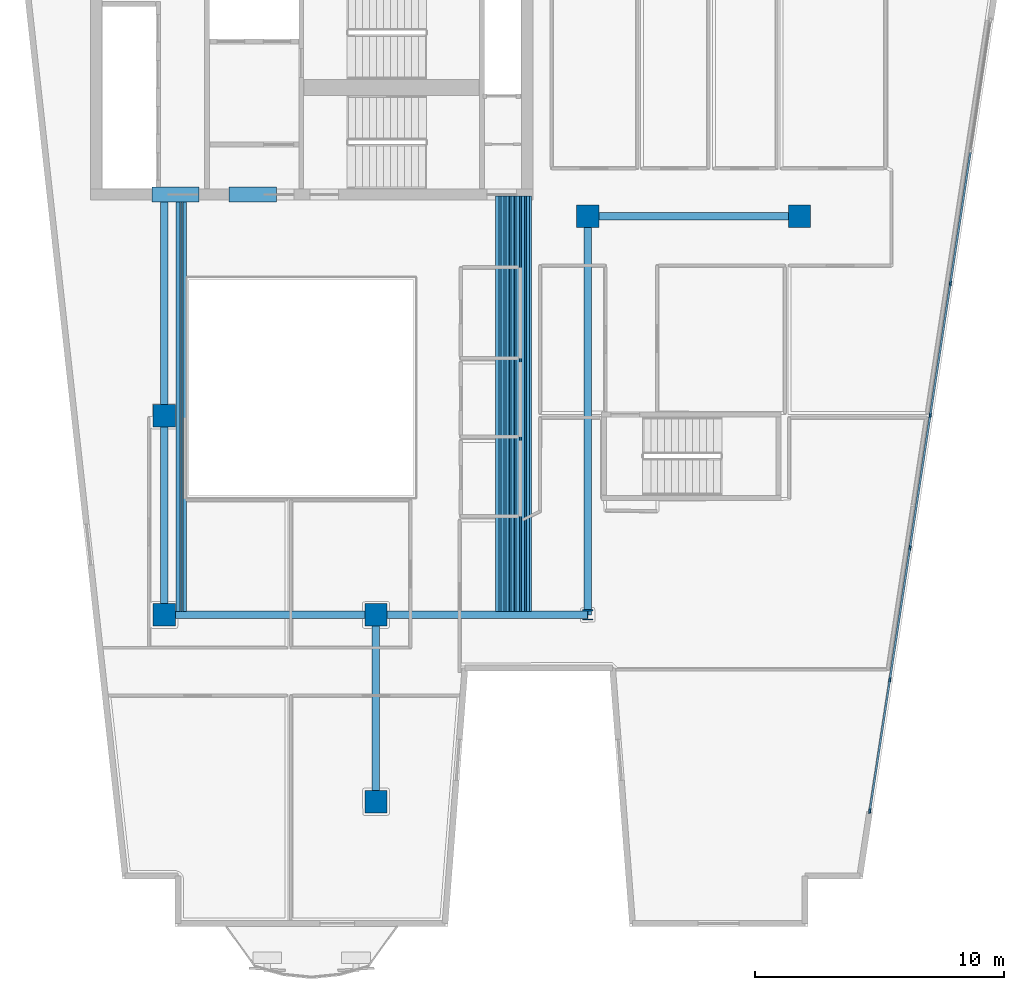
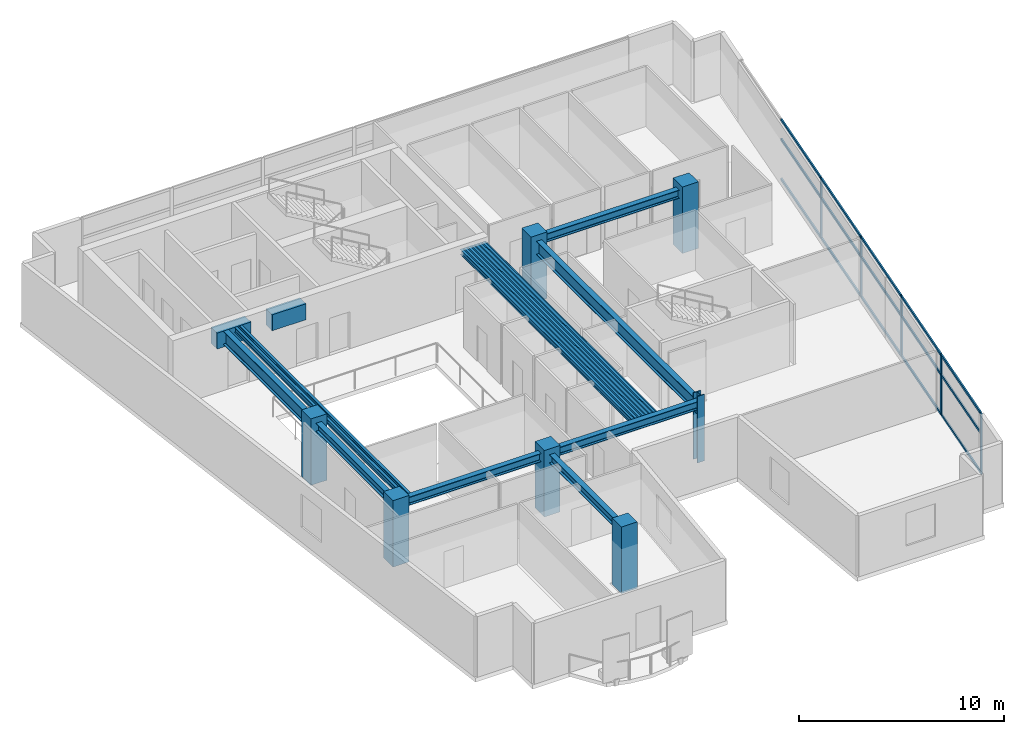
# One storey, part 1 of 8: 26 beams, 20 members, 7 columns, 1 element without a shape of its own.
"""IFC4 building model written with IfcOpenShell, lengths in metres."""

from ifc_helpers import new_model, si_unit, direction, frame, origin, origin_2d, place, context, subcontext, project, spatial, rectangle, hollow_rectangle, i_section, extrude, material, layer, layer_set, material_profile, profile_set, type_object, element, aggregate, save


model = new_model("IFC4")

# Units and contexts
model_context = context("Model", 3, precision=1e-05, world=origin(), true_north=direction((0.0, 1.0)))
body_context = subcontext(model_context, "Body", "Model", "MODEL_VIEW")
ifc_project = project(units=[si_unit("LENGTHUNIT", "METRE"), si_unit("AREAUNIT", "SQUARE_METRE"), si_unit("VOLUMEUNIT", "CUBIC_METRE"), si_unit("PLANEANGLEUNIT", "RADIAN"), si_unit("MASSUNIT", "GRAM", prefix="KILO")], contexts=[model_context])

# Site, building, storey
site_placement = place(None, origin())
site = spatial("IfcSite", under=ifc_project, at=site_placement, CompositionType="ELEMENT")
building_placement = place(site_placement, origin())
building = spatial("IfcBuilding", under=site, at=building_placement, Name="Caeloran Harvest Quay", CompositionType="ELEMENT")
storey_placement = place(building_placement, frame((0.0, 0.0, 246.949951171875)))
storey = spatial("IfcBuildingStorey", under=building, at=storey_placement, Name="L59", CompositionType="ELEMENT", Elevation=246.949951171875)

# Columns
ifc_material_1 = material(Name="Concrete C60/75", Category="concrete")
ifc_material_profile_1 = material_profile(ifc_material_1, rectangle(XDim=0.89990234375, YDim=0.89990234375, at=origin_2d()), Name="RC 900x900")
ifc_profile_set_1 = profile_set([ifc_material_profile_1], Name="Concrete C60/75")
column_type_1 = type_object("IfcColumnType", Name="COL-MC-4-RC_900x900", PredefinedType="COLUMN", material=ifc_profile_set_1)
for number, where, z_axis, x_axis, name in (
    (1, (8.5, 15.0, 0.0), (0.0, 0.0, 1.0), (1.0, 0.0, 0.0), "L59 Structural Column (8.5, 15.0)"),
    (2, (8.5, 23.0, 0.0), (0.0, 0.0, 1.0), (1.0, 0.0, 0.0), "L59 Structural Column (8.5, 23.0)"),
    (3, (17.0, 7.5, 0.0), (0.0, 0.0, 1.0), (1.0, 0.0, 0.0), "L59 Structural Column (17.0, 7.5)"),
    (4, (17.0, 15.0, 0.0), (0.0, 0.0, 1.0), (1.0, 0.0, 0.0), "L59 Structural Column (17.0, 15.0)"),
    (5, (25.5, 31.0, 0.0), (0.0, 0.0, 1.0), (1.0, 0.0, 0.0), "L59 Structural Column (25.5, 31.0)"),
    (6, (34.0, 31.0, 0.0), (0.0, 0.0, 1.0), (1.0, 0.0, 0.0), "L59 Structural Column (34.0, 31.0)"),
):
    element("IfcColumn", number, at=place(storey_placement, frame(where, z_axis=z_axis, x_axis=x_axis)), inside=storey, type_object=column_type_1, Name=name, PredefinedType="COLUMN", context=body_context, shape_type="SweptSolid", body=[
        extrude(rectangle(XDim=0.89990234375, YDim=0.89990234375, at=origin_2d()), origin(), (0.0, 0.0, 1.0), 3.949951171875),
    ])
ifc_material_2 = material(Name="Steel HISTAR 460", Category="steel")
ifc_material_profile_2 = material_profile(ifc_material_2, i_section(OverallWidth=0.406005859375, OverallDepth=0.416015625, WebThickness=0.02978515625, FlangeThickness=0.048095703125, FilletRadius=0.014892578125, at=origin_2d()), Name="HD 400x382")
ifc_profile_set_2 = profile_set([ifc_material_profile_2], Name="Steel HISTAR 460")
column_type_2 = type_object("IfcColumnType", Name="COL-SC-5-HD_400x382", PredefinedType="COLUMN", material=ifc_profile_set_2)
column_placement = place(storey_placement, frame((25.5, 15.0, 0.0), z_axis=(0.0, 0.0, 1.0), x_axis=(1.0, 0.0, 0.0)))
element("IfcColumn", 7, at=column_placement, inside=storey, type_object=column_type_2, Name="L59 Structural Column (25.5, 15.0)", PredefinedType="COLUMN", context=body_context, shape_type="SweptSolid", body=[
    extrude(i_section(OverallWidth=0.406005859375, OverallDepth=0.416015625, WebThickness=0.02978515625, FlangeThickness=0.048095703125, FilletRadius=0.014892578125, at=origin_2d()), origin(), (0.0, 0.0, 1.0), 3.949951171875),
])

# Beams
ifc_material_profile_3 = material_profile(ifc_material_1, rectangle(XDim=0.60009765625, YDim=0.949951171875, at=origin_2d()), Name="RC 600x950")
ifc_profile_set_3 = profile_set([ifc_material_profile_3], Name="Concrete C60/75")
beam_type_1 = type_object("IfcBeamType", Name="BM-CB-2-RC_600x950", PredefinedType="LINTEL", material=ifc_profile_set_3)
for number, where, z_axis, x_axis, name in (
    (8, (8.0, 31.875, 3.125), (1.0, 0.0, 0.0), (0.0, 1.0, 0.0), "L59 Core Coupling Beam 1"),
    (9, (11.10009765625, 31.875, 3.125), (1.0, 0.0, 0.0), (0.0, 1.0, 0.0), "L59 Core Coupling Beam 2"),
):
    element("IfcBeam", number, at=place(storey_placement, frame(where, z_axis=z_axis, x_axis=x_axis)), inside=storey, type_object=beam_type_1, Name=name, PredefinedType="LINTEL", context=body_context, shape_type="SweptSolid", body=[
        extrude(rectangle(XDim=0.60009765625, YDim=0.949951171875, at=origin_2d()), origin(), (0.0, 0.0, 1.0), 1.89990234375),
    ])
ifc_material_3 = material(Name="Steel S355J2", Category="steel")
ifc_material_profile_4 = material_profile(ifc_material_3, i_section(OverallWidth=0.300048828125, OverallDepth=0.800048828125, WebThickness=0.017578125, FlangeThickness=0.032958984375, FilletRadius=0.030029296875, at=origin_2d()), Name="HE 800 B")
ifc_profile_set_4 = profile_set([ifc_material_profile_4], Name="Steel S355J2")
beam_type_2 = type_object("IfcBeamType", Name="BM-PG-1-HE_800_B", PredefinedType="BEAM", material=ifc_profile_set_4)
beam_1_placement = place(storey_placement, frame((8.5, 23.0, 3.199951171875), z_axis=(0.0, 1.0, 0.0), x_axis=(-1.0, 0.0, 0.0)))
element("IfcBeam", 10, at=beam_1_placement, inside=storey, type_object=beam_type_2, Name="L59 Core South Tie Girder X=8.5", PredefinedType="BEAM", context=body_context, shape_type="SweptSolid", body=[
    extrude(i_section(OverallWidth=0.300048828125, OverallDepth=0.800048828125, WebThickness=0.017578125, FlangeThickness=0.032958984375, FilletRadius=0.030029296875, at=origin_2d()), origin(), (0.0, 0.0, 1.0), 8.824951171875),
])
beam_2_placement = place(storey_placement, frame((25.5, 15.0, 3.199951171875), z_axis=(0.0, 1.0, 0.0), x_axis=(-1.0, 0.0, 0.0)))
element("IfcBeam", 11, at=beam_2_placement, inside=storey, type_object=beam_type_2, Name="L59 Primary North-South Girder X=25.5", PredefinedType="BEAM", context=body_context, shape_type="SweptSolid", body=[
    extrude(i_section(OverallWidth=0.300048828125, OverallDepth=0.800048828125, WebThickness=0.017578125, FlangeThickness=0.032958984375, FilletRadius=0.030029296875, at=origin_2d()), origin(), (0.0, 0.0, 1.0), 16.0),
])
ifc_material_profile_5 = material_profile(ifc_material_3, i_section(OverallWidth=0.300048828125, OverallDepth=0.5, WebThickness=0.014404296875, FlangeThickness=0.028076171875, FilletRadius=0.027099609375, at=origin_2d()), Name="HE 500 B")
ifc_profile_set_5 = profile_set([ifc_material_profile_5], Name="Steel S355J2")
beam_type_3 = type_object("IfcBeamType", Name="BM-PG-4-HE_500_B", PredefinedType="BEAM", material=ifc_profile_set_5)
for number, where, z_axis, x_axis, name in (
    (12, (8.5, 15.0, 3.35009765625), (1.0, 0.0, 0.0), (0.0, 1.0, 0.0), "L59 Primary East-West Girder Y=15.0"),
    (13, (17.0, 15.0, 3.35009765625), (1.0, 0.0, 0.0), (0.0, 1.0, 0.0), "L59 Primary East-West Girder Y=15.0"),
    (14, (25.5, 31.0, 3.35009765625), (1.0, 0.0, 0.0), (0.0, 1.0, 0.0), "L59 Primary East-West Girder Y=31.0"),
):
    element("IfcBeam", number, at=place(storey_placement, frame(where, z_axis=z_axis, x_axis=x_axis)), inside=storey, type_object=beam_type_3, Name=name, PredefinedType="BEAM", context=body_context, shape_type="SweptSolid", body=[
        extrude(i_section(OverallWidth=0.300048828125, OverallDepth=0.5, WebThickness=0.014404296875, FlangeThickness=0.028076171875, FilletRadius=0.027099609375, at=origin_2d()), origin(), (0.0, 0.0, 1.0), 8.5),
    ])
beam_3_placement = place(storey_placement, frame((8.5, 15.0, 3.35009765625), z_axis=(0.0, 1.0, 0.0), x_axis=(-1.0, 0.0, 0.0)))
element("IfcBeam", 15, at=beam_3_placement, inside=storey, type_object=beam_type_3, Name="L59 Primary North-South Girder X=8.5", PredefinedType="BEAM", context=body_context, shape_type="SweptSolid", body=[
    extrude(i_section(OverallWidth=0.300048828125, OverallDepth=0.5, WebThickness=0.014404296875, FlangeThickness=0.028076171875, FilletRadius=0.027099609375, at=origin_2d()), origin(), (0.0, 0.0, 1.0), 8.0),
])
beam_4_placement = place(storey_placement, frame((17.0, 7.5, 3.35009765625), z_axis=(0.0, 1.0, 0.0), x_axis=(-1.0, 0.0, 0.0)))
element("IfcBeam", 16, at=beam_4_placement, inside=storey, type_object=beam_type_3, Name="L59 Primary North-South Girder X=17.0", PredefinedType="BEAM", context=body_context, shape_type="SweptSolid", body=[
    extrude(i_section(OverallWidth=0.300048828125, OverallDepth=0.5, WebThickness=0.014404296875, FlangeThickness=0.028076171875, FilletRadius=0.027099609375, at=origin_2d()), origin(), (0.0, 0.0, 1.0), 7.5),
])
ifc_material_profile_6 = material_profile(ifc_material_3, i_section(OverallWidth=0.14990234375, OverallDepth=0.300048828125, WebThickness=0.007080078125, FlangeThickness=0.0107421875, FilletRadius=0.014892578125, at=origin_2d()), Name="IPE 300")
ifc_profile_set_6 = profile_set([ifc_material_profile_6], Name="Steel S355J2")
beam_type_4 = type_object("IfcBeamType", Name="BM-SB-6-IPE_300", PredefinedType="JOIST", material=ifc_profile_set_6)
for number, where, z_axis, x_axis, name in (
    (17, (9.04833984375, 15.14501953125, 3.449951171875), (0.0, 1.0, 0.0), (-1.0, 0.0, 0.0), "L59 Secondary Composite Joist"),
    (18, (9.322509765625, 15.14501953125, 3.449951171875), (0.0, 1.0, 0.0), (-1.0, 0.0, 0.0), "L59 Secondary Composite Joist"),
    (19, (21.87744140625, 15.14501953125, 3.449951171875), (0.0, 1.0, 0.0), (-1.0, 0.0, 0.0), "L59 Secondary Composite Joist"),
    (20, (22.08056640625, 15.14501953125, 3.449951171875), (0.0, 1.0, 0.0), (-1.0, 0.0, 0.0), "L59 Secondary Composite Joist"),
    (21, (22.283935546875, 15.14501953125, 3.449951171875), (0.0, 1.0, 0.0), (-1.0, 0.0, 0.0), "L59 Secondary Composite Joist"),
    (22, (22.487060546875, 15.14501953125, 3.449951171875), (0.0, 1.0, 0.0), (-1.0, 0.0, 0.0), "L59 Secondary Composite Joist"),
    (23, (22.690185546875, 15.14501953125, 3.449951171875), (0.0, 1.0, 0.0), (-1.0, 0.0, 0.0), "L59 Secondary Composite Joist"),
    (24, (22.8935546875, 15.14501953125, 3.449951171875), (0.0, 1.0, 0.0), (-1.0, 0.0, 0.0), "L59 Secondary Composite Joist"),
    (25, (23.0966796875, 15.14501953125, 3.449951171875), (0.0, 1.0, 0.0), (-1.0, 0.0, 0.0), "L59 Secondary Composite Joist"),
):
    element("IfcBeam", number, at=place(storey_placement, frame(where, z_axis=z_axis, x_axis=x_axis)), inside=storey, type_object=beam_type_4, Name=name, PredefinedType="JOIST", context=body_context, shape_type="SweptSolid", body=[
        extrude(i_section(OverallWidth=0.14990234375, OverallDepth=0.300048828125, WebThickness=0.007080078125, FlangeThickness=0.0107421875, FilletRadius=0.014892578125, at=origin_2d()), origin(), (0.0, 0.0, 1.0), 16.679931640625),
    ])
ifc_material_profile_7 = material_profile(ifc_material_3, hollow_rectangle(XDim=0.080078125, YDim=0.199951171875, WallThickness=0.006103515625, InnerFilletRadius=0.006103515625, OuterFilletRadius=0.009033203125, at=origin_2d()), Name="RHS 200x80x6")
ifc_profile_set_7 = profile_set([ifc_material_profile_7], Name="Steel S355J2")
beam_type_5 = type_object("IfcBeamType", Name="BM-SB-7-RHS_200x80x6", PredefinedType="JOIST", material=ifc_profile_set_7)
for number, where, z_axis, x_axis, name in (
    (26, (9.185546875, 15.14501953125, 3.5), (0.0, 1.0, 0.0), (-1.0, 0.0, 0.0), "L59 Secondary Composite Joist"),
    (27, (21.97900390625, 15.14501953125, 3.5), (0.0, 1.0, 0.0), (-1.0, 0.0, 0.0), "L59 Secondary Composite Joist"),
    (28, (22.182373046875, 15.14501953125, 3.5), (0.0, 1.0, 0.0), (-1.0, 0.0, 0.0), "L59 Secondary Composite Joist"),
    (29, (22.385498046875, 15.14501953125, 3.5), (0.0, 1.0, 0.0), (-1.0, 0.0, 0.0), "L59 Secondary Composite Joist"),
    (30, (22.588623046875, 15.14501953125, 3.5), (0.0, 1.0, 0.0), (-1.0, 0.0, 0.0), "L59 Secondary Composite Joist"),
    (31, (22.7919921875, 15.14501953125, 3.5), (0.0, 1.0, 0.0), (-1.0, 0.0, 0.0), "L59 Secondary Composite Joist"),
    (32, (22.9951171875, 15.14501953125, 3.5), (0.0, 1.0, 0.0), (-1.0, 0.0, 0.0), "L59 Secondary Composite Joist"),
    (33, (23.198486328125, 15.14501953125, 3.5), (0.0, 1.0, 0.0), (-1.0, 0.0, 0.0), "L59 Secondary Composite Joist"),
):
    element("IfcBeam", number, at=place(storey_placement, frame(where, z_axis=z_axis, x_axis=x_axis)), inside=storey, type_object=beam_type_5, Name=name, PredefinedType="JOIST", context=body_context, shape_type="SweptSolid", body=[
        extrude(hollow_rectangle(XDim=0.080078125, YDim=0.199951171875, WallThickness=0.006103515625, InnerFilletRadius=0.006103515625, OuterFilletRadius=0.009033203125, at=origin_2d()), origin(), (0.0, 0.0, 1.0), 16.679931640625),
    ])

# Curtain wall, members
ifc_material_4 = material(Name="Aluminium 6063-T6 and Low-E Glazing", Category="aluminium")
ifc_layer = layer(ifc_material_4, 0.219970703125, Name="Aluminium 6063-T6 and Low-E Glazing")
ifc_layer_set = layer_set([ifc_layer], Name="Aluminium 6063-T6 and Low-E Glazing")
curtain_wall_type = type_object("IfcCurtainWallType", Name="CW-SYS-CW-5", PredefinedType="USERDEFINED", material=ifc_layer_set)
curtain_wall_placement = place(storey_placement, origin())
curtain_wall = element("IfcCurtainWall", 34, at=curtain_wall_placement, inside=storey, type_object=curtain_wall_type, Name="L59 Unitised Curtain Wall CW-5 Run 9", ObjectType="CURTAIN_WALL", PredefinedType="USERDEFINED")
ifc_material_5 = material(Name="Aluminium 6063-T6", Category="aluminium")
ifc_material_profile_8 = material_profile(ifc_material_5, rectangle(XDim=0.080078125, YDim=0.179931640625, at=origin_2d()), Name="CW-MULLION-180")
ifc_profile_set_8 = profile_set([ifc_material_profile_8], Name="Aluminium 6063-T6")
member_type_1 = type_object("IfcMemberType", Name="CW-MULLION-180", PredefinedType="MULLION", material=ifc_profile_set_8)
member_1_placement = place(storey_placement, frame((40.056884765625, 28.30322265625, 0.0), z_axis=(0.0, 0.0, 1.0), x_axis=(0.988529547698, -0.151027591278, 0.0)))
member_1 = element("IfcMember", 35, at=member_1_placement, type_object=member_type_1, Name="CW-5 mullion 3", PredefinedType="MULLION", context=body_context, shape_type="SweptSolid", body=[
    extrude(rectangle(XDim=0.080078125, YDim=0.179931640625, at=origin_2d()), origin(), (0.0, 0.0, 1.0), 3.60009765625),
])
member_2_placement = place(storey_placement, frame((39.24658203125, 23.0, 0.0), z_axis=(0.0, 0.0, 1.0), x_axis=(0.988529547698, -0.151027591278, 0.0)))
member_2 = element("IfcMember", 36, at=member_2_placement, type_object=member_type_1, Name="CW-5 mullion 4", PredefinedType="MULLION", context=body_context, shape_type="SweptSolid", body=[
    extrude(rectangle(XDim=0.080078125, YDim=0.179931640625, at=origin_2d()), origin(), (0.0, 0.0, 1.0), 3.60009765625),
])
member_3_placement = place(storey_placement, frame((38.436279296875, 17.69677734375, 0.0), z_axis=(0.0, 0.0, 1.0), x_axis=(0.988529547698, -0.151027591278, 0.0)))
member_3 = element("IfcMember", 37, at=member_3_placement, type_object=member_type_1, Name="CW-5 mullion 5", PredefinedType="MULLION", context=body_context, shape_type="SweptSolid", body=[
    extrude(rectangle(XDim=0.080078125, YDim=0.179931640625, at=origin_2d()), origin(), (0.0, 0.0, 1.0), 3.60009765625),
])
member_4_placement = place(storey_placement, frame((37.626220703125, 12.3935546875, 0.0), z_axis=(0.0, 0.0, 1.0), x_axis=(0.988529547698, -0.151027591278, 0.0)))
member_4 = element("IfcMember", 38, at=member_4_placement, type_object=member_type_1, Name="CW-5 mullion 6", PredefinedType="MULLION", context=body_context, shape_type="SweptSolid", body=[
    extrude(rectangle(XDim=0.080078125, YDim=0.179931640625, at=origin_2d()), origin(), (0.0, 0.0, 1.0), 3.60009765625),
])
member_5_placement = place(storey_placement, frame((36.822021484375, 7.129638671875, 0.0), z_axis=(0.0, 0.0, 1.0), x_axis=(0.988529547698, -0.151027591278, 0.0)))
member_5 = element("IfcMember", 39, at=member_5_placement, type_object=member_type_1, Name="CW-5 mullion 7", PredefinedType="MULLION", context=body_context, shape_type="SweptSolid", body=[
    extrude(rectangle(XDim=0.080078125, YDim=0.179931640625, at=origin_2d()), origin(), (0.0, 0.0, 1.0), 3.60009765625),
])
ifc_material_profile_9 = material_profile(ifc_material_5, rectangle(XDim=0.080078125, YDim=0.14990234375, at=origin_2d()), Name="CW-TRANSOM-150")
ifc_profile_set_9 = profile_set([ifc_material_profile_9], Name="Aluminium 6063-T6")
member_type_2 = type_object("IfcMemberType", Name="CW-TRANSOM-150", PredefinedType="USERDEFINED", material=ifc_profile_set_9)
member_6_placement = place(storey_placement, frame((40.861083984375, 33.56689453125, 0.0400390625), z_axis=(-0.151019128787, -0.988530840561, 0.0), x_axis=(0.988530840561, -0.151019128787, 0.0)))
member_6 = element("IfcMember", 40, at=member_6_placement, type_object=member_type_2, Name="CW-5 transom 2.1", ObjectType="TRANSOM", PredefinedType="USERDEFINED", context=body_context, shape_type="SweptSolid", body=[
    extrude(rectangle(XDim=0.080078125, YDim=0.14990234375, at=origin_2d()), origin(), (0.0, 0.0, 1.0), 5.28466796875),
])
member_7_placement = place(storey_placement, frame((40.861083984375, 33.56689453125, 2.400146484375), z_axis=(-0.151019128787, -0.988530840561, 0.0), x_axis=(0.988530840561, -0.151019128787, 0.0)))
member_7 = element("IfcMember", 41, at=member_7_placement, type_object=member_type_2, Name="CW-5 transom 2.2", ObjectType="TRANSOM", PredefinedType="USERDEFINED", context=body_context, shape_type="SweptSolid", body=[
    extrude(rectangle(XDim=0.080078125, YDim=0.14990234375, at=origin_2d()), origin(), (0.0, 0.0, 1.0), 5.28466796875),
])
member_8_placement = place(storey_placement, frame((40.861083984375, 33.56689453125, 3.56005859375), z_axis=(-0.151019128787, -0.988530840561, 0.0), x_axis=(0.988530840561, -0.151019128787, 0.0)))
member_8 = element("IfcMember", 42, at=member_8_placement, type_object=member_type_2, Name="CW-5 transom 2.3", ObjectType="TRANSOM", PredefinedType="USERDEFINED", context=body_context, shape_type="SweptSolid", body=[
    extrude(rectangle(XDim=0.080078125, YDim=0.14990234375, at=origin_2d()), origin(), (0.0, 0.0, 1.0), 5.28466796875),
])
member_9_placement = place(storey_placement, frame((40.05078125, 28.263671875, 0.0400390625), z_axis=(-0.151019128787, -0.988530840561, 0.0), x_axis=(0.988530840561, -0.151019128787, 0.0)))
member_9 = element("IfcMember", 43, at=member_9_placement, type_object=member_type_2, Name="CW-5 transom 3.1", ObjectType="TRANSOM", PredefinedType="USERDEFINED", context=body_context, shape_type="SweptSolid", body=[
    extrude(rectangle(XDim=0.080078125, YDim=0.14990234375, at=origin_2d()), origin(), (0.0, 0.0, 1.0), 5.28466796875),
])
member_10_placement = place(storey_placement, frame((40.05078125, 28.263671875, 2.400146484375), z_axis=(-0.151019128787, -0.988530840561, 0.0), x_axis=(0.988530840561, -0.151019128787, 0.0)))
member_10 = element("IfcMember", 44, at=member_10_placement, type_object=member_type_2, Name="CW-5 transom 3.2", ObjectType="TRANSOM", PredefinedType="USERDEFINED", context=body_context, shape_type="SweptSolid", body=[
    extrude(rectangle(XDim=0.080078125, YDim=0.14990234375, at=origin_2d()), origin(), (0.0, 0.0, 1.0), 5.28466796875),
])
member_11_placement = place(storey_placement, frame((40.05078125, 28.263671875, 3.56005859375), z_axis=(-0.151019128787, -0.988530840561, 0.0), x_axis=(0.988530840561, -0.151019128787, 0.0)))
member_11 = element("IfcMember", 45, at=member_11_placement, type_object=member_type_2, Name="CW-5 transom 3.3", ObjectType="TRANSOM", PredefinedType="USERDEFINED", context=body_context, shape_type="SweptSolid", body=[
    extrude(rectangle(XDim=0.080078125, YDim=0.14990234375, at=origin_2d()), origin(), (0.0, 0.0, 1.0), 5.28466796875),
])
member_12_placement = place(storey_placement, frame((39.240478515625, 22.96044921875, 0.0400390625), z_axis=(-0.151019128787, -0.988530840561, 0.0), x_axis=(0.988530840561, -0.151019128787, 0.0)))
member_12 = element("IfcMember", 46, at=member_12_placement, type_object=member_type_2, Name="CW-5 transom 4.1", ObjectType="TRANSOM", PredefinedType="USERDEFINED", context=body_context, shape_type="SweptSolid", body=[
    extrude(rectangle(XDim=0.080078125, YDim=0.14990234375, at=origin_2d()), origin(), (0.0, 0.0, 1.0), 5.28466796875),
])
member_13_placement = place(storey_placement, frame((39.240478515625, 22.96044921875, 2.400146484375), z_axis=(-0.151019128787, -0.988530840561, 0.0), x_axis=(0.988530840561, -0.151019128787, 0.0)))
member_13 = element("IfcMember", 47, at=member_13_placement, type_object=member_type_2, Name="CW-5 transom 4.2", ObjectType="TRANSOM", PredefinedType="USERDEFINED", context=body_context, shape_type="SweptSolid", body=[
    extrude(rectangle(XDim=0.080078125, YDim=0.14990234375, at=origin_2d()), origin(), (0.0, 0.0, 1.0), 5.28466796875),
])
member_14_placement = place(storey_placement, frame((39.240478515625, 22.96044921875, 3.56005859375), z_axis=(-0.151019128787, -0.988530840561, 0.0), x_axis=(0.988530840561, -0.151019128787, 0.0)))
member_14 = element("IfcMember", 48, at=member_14_placement, type_object=member_type_2, Name="CW-5 transom 4.3", ObjectType="TRANSOM", PredefinedType="USERDEFINED", context=body_context, shape_type="SweptSolid", body=[
    extrude(rectangle(XDim=0.080078125, YDim=0.14990234375, at=origin_2d()), origin(), (0.0, 0.0, 1.0), 5.28466796875),
])
member_15_placement = place(storey_placement, frame((38.430419921875, 17.6572265625, 0.0400390625), z_axis=(-0.15106427205, -0.988523942912, 0.0), x_axis=(0.988523942912, -0.15106427205, 0.0)))
member_15 = element("IfcMember", 49, at=member_15_placement, type_object=member_type_2, Name="CW-5 transom 5.1", ObjectType="TRANSOM", PredefinedType="USERDEFINED", context=body_context, shape_type="SweptSolid", body=[
    extrude(rectangle(XDim=0.080078125, YDim=0.14990234375, at=origin_2d()), origin(), (0.0, 0.0, 1.0), 5.28466796875),
])
member_16_placement = place(storey_placement, frame((38.430419921875, 17.6572265625, 2.400146484375), z_axis=(-0.15106427205, -0.988523942912, 0.0), x_axis=(0.988523942912, -0.15106427205, 0.0)))
member_16 = element("IfcMember", 50, at=member_16_placement, type_object=member_type_2, Name="CW-5 transom 5.2", ObjectType="TRANSOM", PredefinedType="USERDEFINED", context=body_context, shape_type="SweptSolid", body=[
    extrude(rectangle(XDim=0.080078125, YDim=0.14990234375, at=origin_2d()), origin(), (0.0, 0.0, 1.0), 5.28466796875),
])
member_17_placement = place(storey_placement, frame((38.430419921875, 17.6572265625, 3.56005859375), z_axis=(-0.15106427205, -0.988523942912, 0.0), x_axis=(0.988523942912, -0.15106427205, 0.0)))
member_17 = element("IfcMember", 51, at=member_17_placement, type_object=member_type_2, Name="CW-5 transom 5.3", ObjectType="TRANSOM", PredefinedType="USERDEFINED", context=body_context, shape_type="SweptSolid", body=[
    extrude(rectangle(XDim=0.080078125, YDim=0.14990234375, at=origin_2d()), origin(), (0.0, 0.0, 1.0), 5.28466796875),
])
member_18_placement = place(storey_placement, frame((37.6201171875, 12.35400390625, 0.0400390625), z_axis=(-0.151046246318, -0.9885266974, 0.0), x_axis=(0.9885266974, -0.151046246318, 0.0)))
member_18 = element("IfcMember", 52, at=member_18_placement, type_object=member_type_2, Name="CW-5 transom 6.1", ObjectType="TRANSOM", PredefinedType="USERDEFINED", context=body_context, shape_type="SweptSolid", body=[
    extrude(rectangle(XDim=0.080078125, YDim=0.14990234375, at=origin_2d()), origin(), (0.0, 0.0, 1.0), 5.244873046875),
])
member_19_placement = place(storey_placement, frame((37.6201171875, 12.35400390625, 2.400146484375), z_axis=(-0.151046246318, -0.9885266974, 0.0), x_axis=(0.9885266974, -0.151046246318, 0.0)))
member_19 = element("IfcMember", 53, at=member_19_placement, type_object=member_type_2, Name="CW-5 transom 6.2", ObjectType="TRANSOM", PredefinedType="USERDEFINED", context=body_context, shape_type="SweptSolid", body=[
    extrude(rectangle(XDim=0.080078125, YDim=0.14990234375, at=origin_2d()), origin(), (0.0, 0.0, 1.0), 5.244873046875),
])
member_20_placement = place(storey_placement, frame((37.6201171875, 12.35400390625, 3.56005859375), z_axis=(-0.151046246318, -0.9885266974, 0.0), x_axis=(0.9885266974, -0.151046246318, 0.0)))
member_20 = element("IfcMember", 54, at=member_20_placement, type_object=member_type_2, Name="CW-5 transom 6.3", ObjectType="TRANSOM", PredefinedType="USERDEFINED", context=body_context, shape_type="SweptSolid", body=[
    extrude(rectangle(XDim=0.080078125, YDim=0.14990234375, at=origin_2d()), origin(), (0.0, 0.0, 1.0), 5.244873046875),
])
aggregate(curtain_wall, [member_1, member_2, member_3, member_4, member_5, member_6, member_7, member_8, member_9, member_10, member_11, member_12, member_13, member_14, member_15, member_16, member_17, member_18, member_19, member_20])

save(model, "model.ifc")
